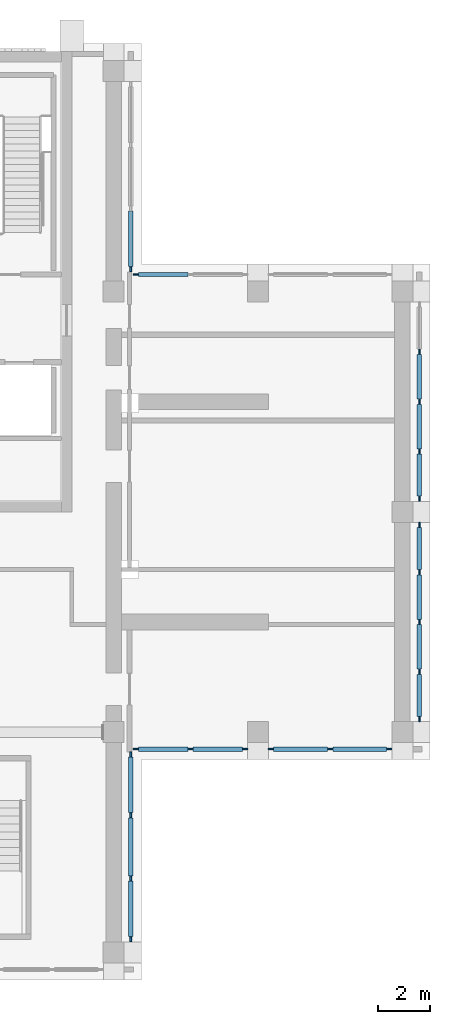
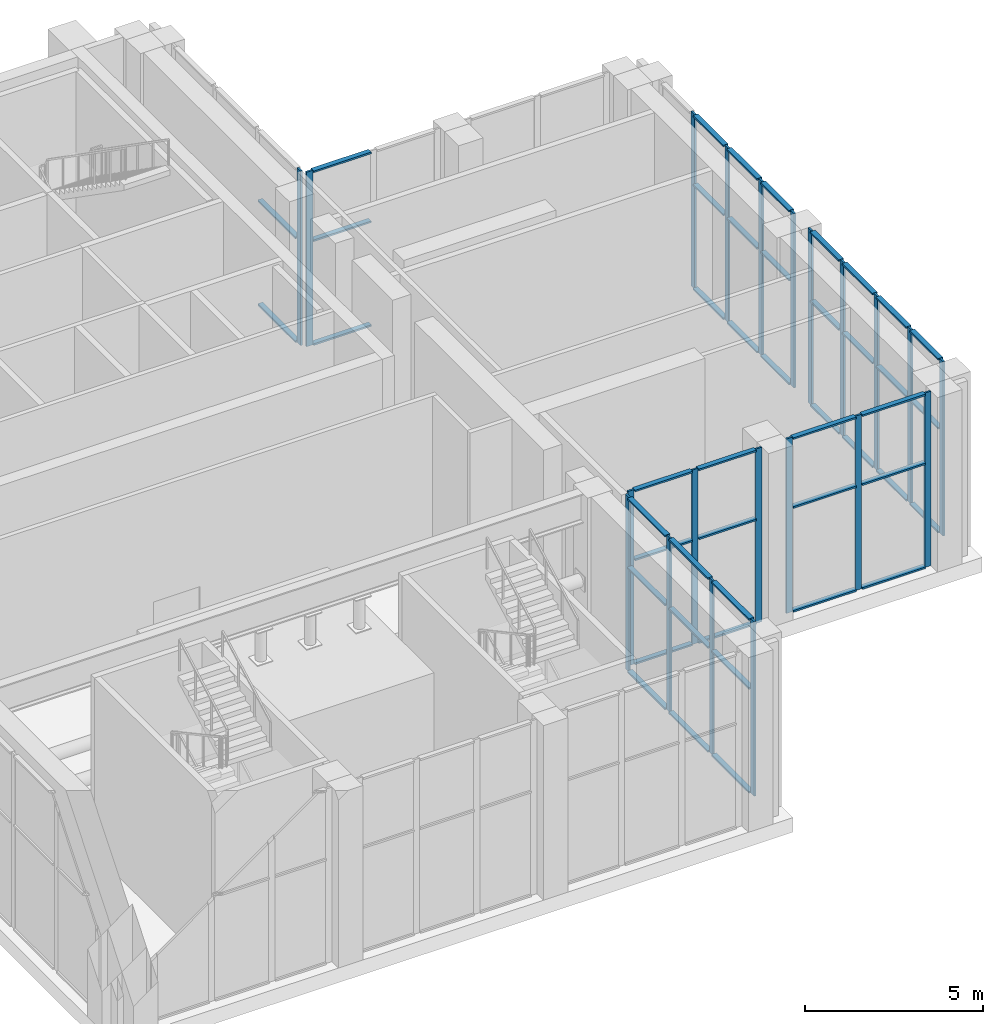
# One storey, part 5 of 14: 68 members, 7 elements without a shape of their own.
"""IFC4 building model written with IfcOpenShell, lengths in metres."""

from ifc_helpers import new_model, si_unit, direction, frame, origin, origin_2d, place, context, subcontext, project, spatial, rectangle, extrude, material, material_profile, profile_set, type_object, element, aggregate, save


model = new_model("IFC4")

# Units and contexts
model_context = context("Model", 3, precision=1e-05, world=origin(), true_north=direction((0.0, 1.0)))
body_context = subcontext(model_context, "Body", "Model", "MODEL_VIEW")
ifc_project = project(units=[si_unit("LENGTHUNIT", "METRE"), si_unit("AREAUNIT", "SQUARE_METRE"), si_unit("VOLUMEUNIT", "CUBIC_METRE"), si_unit("PLANEANGLEUNIT", "RADIAN"), si_unit("MASSUNIT", "GRAM", prefix="KILO")], contexts=[model_context])

# Site, building, storey
site_placement = place(None, origin())
site = spatial("IfcSite", under=ifc_project, at=site_placement, CompositionType="ELEMENT")
building_placement = place(site_placement, origin())
building = spatial("IfcBuilding", under=site, at=building_placement, Name="Vermilion Ogive Tower", CompositionType="ELEMENT")
storey_placement = place(building_placement, frame((0.0, 0.0, 278.35009765625)))
storey = spatial("IfcBuildingStorey", under=building, at=storey_placement, Name="L73", CompositionType="ELEMENT", Elevation=278.35009765625)

# Curtain wall, members
ifc_material_1 = material(Name="Laminated solar-control glazing in aluminium frame", Category="aluminium")
curtain_wall_type = type_object("IfcCurtainWallType", Name="Curtain wall CW4", PredefinedType="NOTDEFINED", material=ifc_material_1)
curtain_wall_1_placement = place(storey_placement, origin())
curtain_wall_1 = element("IfcCurtainWall", 1, at=curtain_wall_1_placement, inside=storey, type_object=curtain_wall_type, Name="CW4 glazing X11", PredefinedType="NOTDEFINED")
ifc_material_2 = material(Name="Aluminium mullion", Category="aluminium")
ifc_material_profile_1 = material_profile(ifc_material_2, rectangle(XDim=0.06005859375, YDim=0.199951171875, at=origin_2d()), Name="AL 60x200")
ifc_profile_set_1 = profile_set([ifc_material_profile_1], Name="Aluminium mullion")
member_type_1 = type_object("IfcMemberType", Name="CW4 mullion 60x200", PredefinedType="MULLION", material=ifc_profile_set_1)
member_1_placement = place(storey_placement, frame((10.64990234375, -12.10009765625, 0.0), z_axis=(0.0, 0.0, 1.0), x_axis=(-1.0, 0.0, 0.0)))
member_1 = element("IfcMember", 2, at=member_1_placement, type_object=member_type_1, Name="CW4-X11 mullion 1", PredefinedType="MULLION", context=body_context, shape_type="SweptSolid", body=[
    extrude(rectangle(XDim=0.06005859375, YDim=0.199951171875, at=origin_2d()), origin(), (0.0, 0.0, 1.0), 6.0),
])
member_2_placement = place(storey_placement, frame((10.64990234375, -9.783447265625, 0.0), z_axis=(0.0, 0.0, 1.0), x_axis=(-1.0, 0.0, 0.0)))
member_2 = element("IfcMember", 3, at=member_2_placement, type_object=member_type_1, Name="CW4-X11 mullion 2", PredefinedType="MULLION", context=body_context, shape_type="SweptSolid", body=[
    extrude(rectangle(XDim=0.06005859375, YDim=0.199951171875, at=origin_2d()), origin(), (0.0, 0.0, 1.0), 6.0),
])
member_3_placement = place(storey_placement, frame((10.64990234375, -7.36669921875, 0.0), z_axis=(0.0, 0.0, 1.0), x_axis=(-1.0, 0.0, 0.0)))
member_3 = element("IfcMember", 4, at=member_3_placement, type_object=member_type_1, Name="CW4-X11 mullion 3", PredefinedType="MULLION", context=body_context, shape_type="SweptSolid", body=[
    extrude(rectangle(XDim=0.06005859375, YDim=0.199951171875, at=origin_2d()), origin(), (0.0, 0.0, 1.0), 6.0),
])
member_4_placement = place(storey_placement, frame((10.64990234375, -5.050048828125, 0.0), z_axis=(0.0, 0.0, 1.0), x_axis=(-1.0, 0.0, 0.0)))
member_4 = element("IfcMember", 5, at=member_4_placement, type_object=member_type_1, Name="CW4-X11 mullion 4", PredefinedType="MULLION", context=body_context, shape_type="SweptSolid", body=[
    extrude(rectangle(XDim=0.06005859375, YDim=0.199951171875, at=origin_2d()), origin(), (0.0, 0.0, 1.0), 6.0),
])

curtain_wall_2_placement = place(storey_placement, origin())
curtain_wall_2 = element("IfcCurtainWall", 6, at=curtain_wall_2_placement, inside=storey, type_object=curtain_wall_type, Name="CW4 glazing X21", PredefinedType="NOTDEFINED")
member_5_placement = place(storey_placement, frame((10.85009765625, -4.85009765625, 0.0), z_axis=(0.0, 0.0, 1.0), x_axis=(0.0, 1.0, 0.0)))
member_5 = element("IfcMember", 7, at=member_5_placement, type_object=member_type_1, Name="CW4-X21 mullion 1", PredefinedType="MULLION", context=body_context, shape_type="SweptSolid", body=[
    extrude(rectangle(XDim=0.06005859375, YDim=0.199951171875, at=origin_2d()), origin(), (0.0, 0.0, 1.0), 6.0),
])
member_6_placement = place(storey_placement, frame((12.925048828125, -4.85009765625, 0.0), z_axis=(0.0, 0.0, 1.0), x_axis=(0.0, 1.0, 0.0)))
member_6 = element("IfcMember", 8, at=member_6_placement, type_object=member_type_1, Name="CW4-X21 mullion 2", PredefinedType="MULLION", context=body_context, shape_type="SweptSolid", body=[
    extrude(rectangle(XDim=0.06005859375, YDim=0.199951171875, at=origin_2d()), origin(), (0.0, 0.0, 1.0), 6.0),
])
member_7_placement = place(storey_placement, frame((15.0, -4.85009765625, 0.0), z_axis=(0.0, 0.0, 1.0), x_axis=(0.0, 1.0, 0.0)))
member_7 = element("IfcMember", 9, at=member_7_placement, type_object=member_type_1, Name="CW4-X21 mullion 3", PredefinedType="MULLION", context=body_context, shape_type="SweptSolid", body=[
    extrude(rectangle(XDim=0.06005859375, YDim=0.199951171875, at=origin_2d()), origin(), (0.0, 0.0, 1.0), 6.0),
])

curtain_wall_3_placement = place(storey_placement, origin())
curtain_wall_3 = element("IfcCurtainWall", 10, at=curtain_wall_3_placement, inside=storey, type_object=curtain_wall_type, Name="CW4 glazing X22", PredefinedType="NOTDEFINED")
member_8_placement = place(storey_placement, frame((16.0, -4.85009765625, 0.0), z_axis=(0.0, 0.0, 1.0), x_axis=(0.0, 1.0, 0.0)))
member_8 = element("IfcMember", 11, at=member_8_placement, type_object=member_type_1, Name="CW4-X22 mullion 1", PredefinedType="MULLION", context=body_context, shape_type="SweptSolid", body=[
    extrude(rectangle(XDim=0.06005859375, YDim=0.199951171875, at=origin_2d()), origin(), (0.0, 0.0, 1.0), 6.0),
])
member_9_placement = place(storey_placement, frame((18.25, -4.85009765625, 0.0), z_axis=(0.0, 0.0, 1.0), x_axis=(0.0, 1.0, 0.0)))
member_9 = element("IfcMember", 12, at=member_9_placement, type_object=member_type_1, Name="CW4-X22 mullion 2", PredefinedType="MULLION", context=body_context, shape_type="SweptSolid", body=[
    extrude(rectangle(XDim=0.06005859375, YDim=0.199951171875, at=origin_2d()), origin(), (0.0, 0.0, 1.0), 6.0),
])
member_10_placement = place(storey_placement, frame((20.5, -4.85009765625, 0.0), z_axis=(0.0, 0.0, 1.0), x_axis=(0.0, 1.0, 0.0)))
member_10 = element("IfcMember", 13, at=member_10_placement, type_object=member_type_1, Name="CW4-X22 mullion 3", PredefinedType="MULLION", context=body_context, shape_type="SweptSolid", body=[
    extrude(rectangle(XDim=0.06005859375, YDim=0.199951171875, at=origin_2d()), origin(), (0.0, 0.0, 1.0), 6.0),
])

curtain_wall_4_placement = place(storey_placement, origin())
curtain_wall_4 = element("IfcCurtainWall", 14, at=curtain_wall_4_placement, inside=storey, type_object=curtain_wall_type, Name="CW4 glazing E1", PredefinedType="NOTDEFINED")
member_11_placement = place(storey_placement, frame((21.64990234375, -3.699951171875, 0.0), z_axis=(0.0, 0.0, 1.0), x_axis=(-1.0, 0.0, 0.0)))
member_11 = element("IfcMember", 15, at=member_11_placement, type_object=member_type_1, Name="CW4-E1 mullion 1", PredefinedType="MULLION", context=body_context, shape_type="SweptSolid", body=[
    extrude(rectangle(XDim=0.06005859375, YDim=0.199951171875, at=origin_2d()), origin(), (0.0, 0.0, 1.0), 6.0),
])
member_12_placement = place(storey_placement, frame((21.64990234375, -1.89990234375, 0.0), z_axis=(0.0, 0.0, 1.0), x_axis=(-1.0, 0.0, 0.0)))
member_12 = element("IfcMember", 16, at=member_12_placement, type_object=member_type_1, Name="CW4-E1 mullion 2", PredefinedType="MULLION", context=body_context, shape_type="SweptSolid", body=[
    extrude(rectangle(XDim=0.06005859375, YDim=0.199951171875, at=origin_2d()), origin(), (0.0, 0.0, 1.0), 6.0),
])
member_13_placement = place(storey_placement, frame((21.64990234375, 0.0, 0.0), z_axis=(0.0, 0.0, 1.0), x_axis=(-1.0, 0.0, 0.0)))
member_13 = element("IfcMember", 17, at=member_13_placement, type_object=member_type_1, Name="CW4-E1 mullion 3", PredefinedType="MULLION", context=body_context, shape_type="SweptSolid", body=[
    extrude(rectangle(XDim=0.06005859375, YDim=0.199951171875, at=origin_2d()), origin(), (0.0, 0.0, 1.0), 6.0),
])
member_14_placement = place(storey_placement, frame((21.64990234375, 1.89990234375, 0.0), z_axis=(0.0, 0.0, 1.0), x_axis=(-1.0, 0.0, 0.0)))
member_14 = element("IfcMember", 18, at=member_14_placement, type_object=member_type_1, Name="CW4-E1 mullion 4", PredefinedType="MULLION", context=body_context, shape_type="SweptSolid", body=[
    extrude(rectangle(XDim=0.06005859375, YDim=0.199951171875, at=origin_2d()), origin(), (0.0, 0.0, 1.0), 6.0),
])
member_15_placement = place(storey_placement, frame((21.64990234375, 3.699951171875, 0.0), z_axis=(0.0, 0.0, 1.0), x_axis=(-1.0, 0.0, 0.0)))
member_15 = element("IfcMember", 19, at=member_15_placement, type_object=member_type_1, Name="CW4-E1 mullion 5", PredefinedType="MULLION", context=body_context, shape_type="SweptSolid", body=[
    extrude(rectangle(XDim=0.06005859375, YDim=0.199951171875, at=origin_2d()), origin(), (0.0, 0.0, 1.0), 6.0),
])

curtain_wall_5_placement = place(storey_placement, origin())
curtain_wall_5 = element("IfcCurtainWall", 20, at=curtain_wall_5_placement, inside=storey, type_object=curtain_wall_type, Name="CW4 glazing E2", PredefinedType="NOTDEFINED")
member_16_placement = place(storey_placement, frame((21.64990234375, 4.699951171875, 0.0), z_axis=(0.0, 0.0, 1.0), x_axis=(-1.0, 0.0, 0.0)))
member_16 = element("IfcMember", 21, at=member_16_placement, type_object=member_type_1, Name="CW4-E2 mullion 1", PredefinedType="MULLION", context=body_context, shape_type="SweptSolid", body=[
    extrude(rectangle(XDim=0.06005859375, YDim=0.199951171875, at=origin_2d()), origin(), (0.0, 0.0, 1.0), 6.0),
])
member_17_placement = place(storey_placement, frame((21.64990234375, 6.5, 0.0), z_axis=(0.0, 0.0, 1.0), x_axis=(-1.0, 0.0, 0.0)))
member_17 = element("IfcMember", 22, at=member_17_placement, type_object=member_type_1, Name="CW4-E2 mullion 2", PredefinedType="MULLION", context=body_context, shape_type="SweptSolid", body=[
    extrude(rectangle(XDim=0.06005859375, YDim=0.199951171875, at=origin_2d()), origin(), (0.0, 0.0, 1.0), 6.0),
])
member_18_placement = place(storey_placement, frame((21.64990234375, 8.39990234375, 0.0), z_axis=(0.0, 0.0, 1.0), x_axis=(-1.0, 0.0, 0.0)))
member_18 = element("IfcMember", 23, at=member_18_placement, type_object=member_type_1, Name="CW4-E2 mullion 3", PredefinedType="MULLION", context=body_context, shape_type="SweptSolid", body=[
    extrude(rectangle(XDim=0.06005859375, YDim=0.199951171875, at=origin_2d()), origin(), (0.0, 0.0, 1.0), 6.0),
])
member_19_placement = place(storey_placement, frame((21.64990234375, 10.300048828125, 0.0), z_axis=(0.0, 0.0, 1.0), x_axis=(-1.0, 0.0, 0.0)))
member_19 = element("IfcMember", 24, at=member_19_placement, type_object=member_type_1, Name="CW4-E2 mullion 4", PredefinedType="MULLION", context=body_context, shape_type="SweptSolid", body=[
    extrude(rectangle(XDim=0.06005859375, YDim=0.199951171875, at=origin_2d()), origin(), (0.0, 0.0, 1.0), 6.0),
])

# Curtain wall, member
curtain_wall_6_placement = place(storey_placement, origin())
curtain_wall_6 = element("IfcCurtainWall", 25, at=curtain_wall_6_placement, inside=storey, type_object=curtain_wall_type, Name="CW4 glazing X32", PredefinedType="NOTDEFINED")
member_20_placement = place(storey_placement, frame((10.85009765625, 13.25, 0.0), z_axis=(0.0, 0.0, 1.0), x_axis=(0.0, -1.0, 0.0)))
member_20 = element("IfcMember", 26, at=member_20_placement, type_object=member_type_1, Name="CW4-X32 mullion 3", PredefinedType="MULLION", context=body_context, shape_type="SweptSolid", body=[
    extrude(rectangle(XDim=0.06005859375, YDim=0.199951171875, at=origin_2d()), origin(), (0.0, 0.0, 1.0), 6.0),
])

curtain_wall_7_placement = place(storey_placement, origin())
curtain_wall_7 = element("IfcCurtainWall", 27, at=curtain_wall_7_placement, inside=storey, type_object=curtain_wall_type, Name="CW4 glazing X41", PredefinedType="NOTDEFINED")
member_21_placement = place(storey_placement, frame((10.64990234375, 13.449951171875, 0.0), z_axis=(0.0, 0.0, 1.0), x_axis=(-1.0, 0.0, 0.0)))
member_21 = element("IfcMember", 28, at=member_21_placement, type_object=member_type_1, Name="CW4-X41 mullion 1", PredefinedType="MULLION", context=body_context, shape_type="SweptSolid", body=[
    extrude(rectangle(XDim=0.06005859375, YDim=0.199951171875, at=origin_2d()), origin(), (0.0, 0.0, 1.0), 6.0),
])

# Member
ifc_material_3 = material(Name="Aluminium transom", Category="aluminium")
ifc_material_profile_2 = material_profile(ifc_material_3, rectangle(XDim=0.159912109375, YDim=0.06005859375, at=origin_2d()), Name="AL 60x160")
ifc_profile_set_2 = profile_set([ifc_material_profile_2], Name="Aluminium transom")
member_type_2 = type_object("IfcMemberType", Name="CW4 transom 60x160", PredefinedType="USERDEFINED", material=ifc_profile_set_2)
member_22_placement = place(storey_placement, frame((10.64990234375, -12.0, 0.02978515625), z_axis=(0.0, 1.0, 0.0), x_axis=(-1.0, 0.0, 0.0)))
member_22 = element("IfcMember", 29, at=member_22_placement, type_object=member_type_2, Name="CW4-X11 transom 1.1", ObjectType="TRANSOM", PredefinedType="USERDEFINED", context=body_context, shape_type="SweptSolid", body=[
    extrude(rectangle(XDim=0.159912109375, YDim=0.06005859375, at=origin_2d()), origin(), (0.0, 0.0, 1.0), 2.11669921875),
])

member_23_placement = place(storey_placement, frame((10.64990234375, -12.0, 3.599853515625), z_axis=(0.0, 1.0, 0.0), x_axis=(-1.0, 0.0, 0.0)))
member_23 = element("IfcMember", 30, at=member_23_placement, type_object=member_type_2, Name="CW4-X11 transom 1.2", ObjectType="TRANSOM", PredefinedType="USERDEFINED", context=body_context, shape_type="SweptSolid", body=[
    extrude(rectangle(XDim=0.159912109375, YDim=0.06005859375, at=origin_2d()), origin(), (0.0, 0.0, 1.0), 2.11669921875),
])

member_24_placement = place(storey_placement, frame((10.64990234375, -12.0, 5.969970703125), z_axis=(0.0, 1.0, 0.0), x_axis=(-1.0, 0.0, 0.0)))
member_24 = element("IfcMember", 31, at=member_24_placement, type_object=member_type_2, Name="CW4-X11 transom 1.3", ObjectType="TRANSOM", PredefinedType="USERDEFINED", context=body_context, shape_type="SweptSolid", body=[
    extrude(rectangle(XDim=0.159912109375, YDim=0.06005859375, at=origin_2d()), origin(), (0.0, 0.0, 1.0), 2.11669921875),
])

member_25_placement = place(storey_placement, frame((10.64990234375, -9.683349609375, 0.02978515625), z_axis=(0.0, 1.0, 0.0), x_axis=(-1.0, 0.0, 0.0)))
member_25 = element("IfcMember", 32, at=member_25_placement, type_object=member_type_2, Name="CW4-X11 transom 2.1", ObjectType="TRANSOM", PredefinedType="USERDEFINED", context=body_context, shape_type="SweptSolid", body=[
    extrude(rectangle(XDim=0.159912109375, YDim=0.06005859375, at=origin_2d()), origin(), (0.0, 0.0, 1.0), 2.216796875),
])

member_26_placement = place(storey_placement, frame((10.64990234375, -9.683349609375, 3.599853515625), z_axis=(0.0, 1.0, 0.0), x_axis=(-1.0, 0.0, 0.0)))
member_26 = element("IfcMember", 33, at=member_26_placement, type_object=member_type_2, Name="CW4-X11 transom 2.2", ObjectType="TRANSOM", PredefinedType="USERDEFINED", context=body_context, shape_type="SweptSolid", body=[
    extrude(rectangle(XDim=0.159912109375, YDim=0.06005859375, at=origin_2d()), origin(), (0.0, 0.0, 1.0), 2.216796875),
])

member_27_placement = place(storey_placement, frame((10.64990234375, -9.683349609375, 5.969970703125), z_axis=(0.0, 1.0, 0.0), x_axis=(-1.0, 0.0, 0.0)))
member_27 = element("IfcMember", 34, at=member_27_placement, type_object=member_type_2, Name="CW4-X11 transom 2.3", ObjectType="TRANSOM", PredefinedType="USERDEFINED", context=body_context, shape_type="SweptSolid", body=[
    extrude(rectangle(XDim=0.159912109375, YDim=0.06005859375, at=origin_2d()), origin(), (0.0, 0.0, 1.0), 2.216796875),
])

member_28_placement = place(storey_placement, frame((10.64990234375, -7.2666015625, 0.02978515625), z_axis=(0.0, 1.0, 0.0), x_axis=(-1.0, 0.0, 0.0)))
member_28 = element("IfcMember", 35, at=member_28_placement, type_object=member_type_2, Name="CW4-X11 transom 3.1", ObjectType="TRANSOM", PredefinedType="USERDEFINED", context=body_context, shape_type="SweptSolid", body=[
    extrude(rectangle(XDim=0.159912109375, YDim=0.06005859375, at=origin_2d()), origin(), (0.0, 0.0, 1.0), 2.11669921875),
])

member_29_placement = place(storey_placement, frame((10.64990234375, -7.2666015625, 3.599853515625), z_axis=(0.0, 1.0, 0.0), x_axis=(-1.0, 0.0, 0.0)))
member_29 = element("IfcMember", 36, at=member_29_placement, type_object=member_type_2, Name="CW4-X11 transom 3.2", ObjectType="TRANSOM", PredefinedType="USERDEFINED", context=body_context, shape_type="SweptSolid", body=[
    extrude(rectangle(XDim=0.159912109375, YDim=0.06005859375, at=origin_2d()), origin(), (0.0, 0.0, 1.0), 2.11669921875),
])

member_30_placement = place(storey_placement, frame((10.64990234375, -7.2666015625, 5.969970703125), z_axis=(0.0, 1.0, 0.0), x_axis=(-1.0, 0.0, 0.0)))
member_30 = element("IfcMember", 37, at=member_30_placement, type_object=member_type_2, Name="CW4-X11 transom 3.3", ObjectType="TRANSOM", PredefinedType="USERDEFINED", context=body_context, shape_type="SweptSolid", body=[
    extrude(rectangle(XDim=0.159912109375, YDim=0.06005859375, at=origin_2d()), origin(), (0.0, 0.0, 1.0), 2.11669921875),
])

aggregate(curtain_wall_1, [member_1, member_2, member_3, member_4, member_22, member_23, member_24, member_25, member_26, member_27, member_28, member_29, member_30])

member_31_placement = place(storey_placement, frame((10.949951171875, -4.85009765625, 0.02978515625), z_axis=(1.0, 0.0, 0.0), x_axis=(0.0, 1.0, 0.0)))
member_31 = element("IfcMember", 38, at=member_31_placement, type_object=member_type_2, Name="CW4-X21 transom 1.1", ObjectType="TRANSOM", PredefinedType="USERDEFINED", context=body_context, shape_type="SweptSolid", body=[
    extrude(rectangle(XDim=0.159912109375, YDim=0.06005859375, at=origin_2d()), origin(), (0.0, 0.0, 1.0), 1.875),
])

member_32_placement = place(storey_placement, frame((10.949951171875, -4.85009765625, 3.599853515625), z_axis=(1.0, 0.0, 0.0), x_axis=(0.0, 1.0, 0.0)))
member_32 = element("IfcMember", 39, at=member_32_placement, type_object=member_type_2, Name="CW4-X21 transom 1.2", ObjectType="TRANSOM", PredefinedType="USERDEFINED", context=body_context, shape_type="SweptSolid", body=[
    extrude(rectangle(XDim=0.159912109375, YDim=0.06005859375, at=origin_2d()), origin(), (0.0, 0.0, 1.0), 1.875),
])

member_33_placement = place(storey_placement, frame((10.949951171875, -4.85009765625, 5.969970703125), z_axis=(1.0, 0.0, 0.0), x_axis=(0.0, 1.0, 0.0)))
member_33 = element("IfcMember", 40, at=member_33_placement, type_object=member_type_2, Name="CW4-X21 transom 1.3", ObjectType="TRANSOM", PredefinedType="USERDEFINED", context=body_context, shape_type="SweptSolid", body=[
    extrude(rectangle(XDim=0.159912109375, YDim=0.06005859375, at=origin_2d()), origin(), (0.0, 0.0, 1.0), 1.875),
])

member_34_placement = place(storey_placement, frame((13.02490234375, -4.85009765625, 0.02978515625), z_axis=(1.0, 0.0, 0.0), x_axis=(0.0, 1.0, 0.0)))
member_34 = element("IfcMember", 41, at=member_34_placement, type_object=member_type_2, Name="CW4-X21 transom 2.1", ObjectType="TRANSOM", PredefinedType="USERDEFINED", context=body_context, shape_type="SweptSolid", body=[
    extrude(rectangle(XDim=0.159912109375, YDim=0.06005859375, at=origin_2d()), origin(), (0.0, 0.0, 1.0), 1.875),
])

member_35_placement = place(storey_placement, frame((13.02490234375, -4.85009765625, 3.599853515625), z_axis=(1.0, 0.0, 0.0), x_axis=(0.0, 1.0, 0.0)))
member_35 = element("IfcMember", 42, at=member_35_placement, type_object=member_type_2, Name="CW4-X21 transom 2.2", ObjectType="TRANSOM", PredefinedType="USERDEFINED", context=body_context, shape_type="SweptSolid", body=[
    extrude(rectangle(XDim=0.159912109375, YDim=0.06005859375, at=origin_2d()), origin(), (0.0, 0.0, 1.0), 1.875),
])

member_36_placement = place(storey_placement, frame((13.02490234375, -4.85009765625, 5.969970703125), z_axis=(1.0, 0.0, 0.0), x_axis=(0.0, 1.0, 0.0)))
member_36 = element("IfcMember", 43, at=member_36_placement, type_object=member_type_2, Name="CW4-X21 transom 2.3", ObjectType="TRANSOM", PredefinedType="USERDEFINED", context=body_context, shape_type="SweptSolid", body=[
    extrude(rectangle(XDim=0.159912109375, YDim=0.06005859375, at=origin_2d()), origin(), (0.0, 0.0, 1.0), 1.875),
])

aggregate(curtain_wall_2, [member_5, member_6, member_7, member_31, member_32, member_33, member_34, member_35, member_36])

member_37_placement = place(storey_placement, frame((16.10009765625, -4.85009765625, 0.02978515625), z_axis=(1.0, 0.0, 0.0), x_axis=(0.0, 1.0, 0.0)))
member_37 = element("IfcMember", 44, at=member_37_placement, type_object=member_type_2, Name="CW4-X22 transom 1.1", ObjectType="TRANSOM", PredefinedType="USERDEFINED", context=body_context, shape_type="SweptSolid", body=[
    extrude(rectangle(XDim=0.159912109375, YDim=0.06005859375, at=origin_2d()), origin(), (0.0, 0.0, 1.0), 2.0498046875),
])

member_38_placement = place(storey_placement, frame((16.10009765625, -4.85009765625, 3.599853515625), z_axis=(1.0, 0.0, 0.0), x_axis=(0.0, 1.0, 0.0)))
member_38 = element("IfcMember", 45, at=member_38_placement, type_object=member_type_2, Name="CW4-X22 transom 1.2", ObjectType="TRANSOM", PredefinedType="USERDEFINED", context=body_context, shape_type="SweptSolid", body=[
    extrude(rectangle(XDim=0.159912109375, YDim=0.06005859375, at=origin_2d()), origin(), (0.0, 0.0, 1.0), 2.0498046875),
])

member_39_placement = place(storey_placement, frame((16.10009765625, -4.85009765625, 5.969970703125), z_axis=(1.0, 0.0, 0.0), x_axis=(0.0, 1.0, 0.0)))
member_39 = element("IfcMember", 46, at=member_39_placement, type_object=member_type_2, Name="CW4-X22 transom 1.3", ObjectType="TRANSOM", PredefinedType="USERDEFINED", context=body_context, shape_type="SweptSolid", body=[
    extrude(rectangle(XDim=0.159912109375, YDim=0.06005859375, at=origin_2d()), origin(), (0.0, 0.0, 1.0), 2.0498046875),
])

member_40_placement = place(storey_placement, frame((18.35009765625, -4.85009765625, 0.02978515625), z_axis=(1.0, 0.0, 0.0), x_axis=(0.0, 1.0, 0.0)))
member_40 = element("IfcMember", 47, at=member_40_placement, type_object=member_type_2, Name="CW4-X22 transom 2.1", ObjectType="TRANSOM", PredefinedType="USERDEFINED", context=body_context, shape_type="SweptSolid", body=[
    extrude(rectangle(XDim=0.159912109375, YDim=0.06005859375, at=origin_2d()), origin(), (0.0, 0.0, 1.0), 2.0498046875),
])

member_41_placement = place(storey_placement, frame((18.35009765625, -4.85009765625, 3.599853515625), z_axis=(1.0, 0.0, 0.0), x_axis=(0.0, 1.0, 0.0)))
member_41 = element("IfcMember", 48, at=member_41_placement, type_object=member_type_2, Name="CW4-X22 transom 2.2", ObjectType="TRANSOM", PredefinedType="USERDEFINED", context=body_context, shape_type="SweptSolid", body=[
    extrude(rectangle(XDim=0.159912109375, YDim=0.06005859375, at=origin_2d()), origin(), (0.0, 0.0, 1.0), 2.0498046875),
])

member_42_placement = place(storey_placement, frame((18.35009765625, -4.85009765625, 5.969970703125), z_axis=(1.0, 0.0, 0.0), x_axis=(0.0, 1.0, 0.0)))
member_42 = element("IfcMember", 49, at=member_42_placement, type_object=member_type_2, Name="CW4-X22 transom 2.3", ObjectType="TRANSOM", PredefinedType="USERDEFINED", context=body_context, shape_type="SweptSolid", body=[
    extrude(rectangle(XDim=0.159912109375, YDim=0.06005859375, at=origin_2d()), origin(), (0.0, 0.0, 1.0), 2.0498046875),
])

aggregate(curtain_wall_3, [member_8, member_9, member_10, member_37, member_38, member_39, member_40, member_41, member_42])

member_43_placement = place(storey_placement, frame((21.64990234375, -3.60009765625, 0.02978515625), z_axis=(0.0, 1.0, 0.0), x_axis=(-1.0, 0.0, 0.0)))
member_43 = element("IfcMember", 50, at=member_43_placement, type_object=member_type_2, Name="CW4-E1 transom 1.1", ObjectType="TRANSOM", PredefinedType="USERDEFINED", context=body_context, shape_type="SweptSolid", body=[
    extrude(rectangle(XDim=0.159912109375, YDim=0.06005859375, at=origin_2d()), origin(), (0.0, 0.0, 1.0), 1.60009765625),
])

member_44_placement = place(storey_placement, frame((21.64990234375, -3.60009765625, 3.599853515625), z_axis=(0.0, 1.0, 0.0), x_axis=(-1.0, 0.0, 0.0)))
member_44 = element("IfcMember", 51, at=member_44_placement, type_object=member_type_2, Name="CW4-E1 transom 1.2", ObjectType="TRANSOM", PredefinedType="USERDEFINED", context=body_context, shape_type="SweptSolid", body=[
    extrude(rectangle(XDim=0.159912109375, YDim=0.06005859375, at=origin_2d()), origin(), (0.0, 0.0, 1.0), 1.60009765625),
])

member_45_placement = place(storey_placement, frame((21.64990234375, -3.60009765625, 5.969970703125), z_axis=(0.0, 1.0, 0.0), x_axis=(-1.0, 0.0, 0.0)))
member_45 = element("IfcMember", 52, at=member_45_placement, type_object=member_type_2, Name="CW4-E1 transom 1.3", ObjectType="TRANSOM", PredefinedType="USERDEFINED", context=body_context, shape_type="SweptSolid", body=[
    extrude(rectangle(XDim=0.159912109375, YDim=0.06005859375, at=origin_2d()), origin(), (0.0, 0.0, 1.0), 1.60009765625),
])

member_46_placement = place(storey_placement, frame((21.64990234375, -1.800048828125, 0.02978515625), z_axis=(0.0, 1.0, 0.0), x_axis=(-1.0, 0.0, 0.0)))
member_46 = element("IfcMember", 53, at=member_46_placement, type_object=member_type_2, Name="CW4-E1 transom 2.1", ObjectType="TRANSOM", PredefinedType="USERDEFINED", context=body_context, shape_type="SweptSolid", body=[
    extrude(rectangle(XDim=0.159912109375, YDim=0.06005859375, at=origin_2d()), origin(), (0.0, 0.0, 1.0), 1.699951171875),
])

member_47_placement = place(storey_placement, frame((21.64990234375, -1.800048828125, 3.599853515625), z_axis=(0.0, 1.0, 0.0), x_axis=(-1.0, 0.0, 0.0)))
member_47 = element("IfcMember", 54, at=member_47_placement, type_object=member_type_2, Name="CW4-E1 transom 2.2", ObjectType="TRANSOM", PredefinedType="USERDEFINED", context=body_context, shape_type="SweptSolid", body=[
    extrude(rectangle(XDim=0.159912109375, YDim=0.06005859375, at=origin_2d()), origin(), (0.0, 0.0, 1.0), 1.699951171875),
])

member_48_placement = place(storey_placement, frame((21.64990234375, -1.800048828125, 5.969970703125), z_axis=(0.0, 1.0, 0.0), x_axis=(-1.0, 0.0, 0.0)))
member_48 = element("IfcMember", 55, at=member_48_placement, type_object=member_type_2, Name="CW4-E1 transom 2.3", ObjectType="TRANSOM", PredefinedType="USERDEFINED", context=body_context, shape_type="SweptSolid", body=[
    extrude(rectangle(XDim=0.159912109375, YDim=0.06005859375, at=origin_2d()), origin(), (0.0, 0.0, 1.0), 1.699951171875),
])

member_49_placement = place(storey_placement, frame((21.64990234375, 0.10009765625, 0.02978515625), z_axis=(0.0, 1.0, 0.0), x_axis=(-1.0, 0.0, 0.0)))
member_49 = element("IfcMember", 56, at=member_49_placement, type_object=member_type_2, Name="CW4-E1 transom 3.1", ObjectType="TRANSOM", PredefinedType="USERDEFINED", context=body_context, shape_type="SweptSolid", body=[
    extrude(rectangle(XDim=0.159912109375, YDim=0.06005859375, at=origin_2d()), origin(), (0.0, 0.0, 1.0), 1.699951171875),
])

member_50_placement = place(storey_placement, frame((21.64990234375, 0.10009765625, 3.599853515625), z_axis=(0.0, 1.0, 0.0), x_axis=(-1.0, 0.0, 0.0)))
member_50 = element("IfcMember", 57, at=member_50_placement, type_object=member_type_2, Name="CW4-E1 transom 3.2", ObjectType="TRANSOM", PredefinedType="USERDEFINED", context=body_context, shape_type="SweptSolid", body=[
    extrude(rectangle(XDim=0.159912109375, YDim=0.06005859375, at=origin_2d()), origin(), (0.0, 0.0, 1.0), 1.699951171875),
])

member_51_placement = place(storey_placement, frame((21.64990234375, 0.10009765625, 5.969970703125), z_axis=(0.0, 1.0, 0.0), x_axis=(-1.0, 0.0, 0.0)))
member_51 = element("IfcMember", 58, at=member_51_placement, type_object=member_type_2, Name="CW4-E1 transom 3.3", ObjectType="TRANSOM", PredefinedType="USERDEFINED", context=body_context, shape_type="SweptSolid", body=[
    extrude(rectangle(XDim=0.159912109375, YDim=0.06005859375, at=origin_2d()), origin(), (0.0, 0.0, 1.0), 1.699951171875),
])

member_52_placement = place(storey_placement, frame((21.64990234375, 2.0, 0.02978515625), z_axis=(0.0, 1.0, 0.0), x_axis=(-1.0, 0.0, 0.0)))
member_52 = element("IfcMember", 59, at=member_52_placement, type_object=member_type_2, Name="CW4-E1 transom 4.1", ObjectType="TRANSOM", PredefinedType="USERDEFINED", context=body_context, shape_type="SweptSolid", body=[
    extrude(rectangle(XDim=0.159912109375, YDim=0.06005859375, at=origin_2d()), origin(), (0.0, 0.0, 1.0), 1.60009765625),
])

member_53_placement = place(storey_placement, frame((21.64990234375, 2.0, 3.599853515625), z_axis=(0.0, 1.0, 0.0), x_axis=(-1.0, 0.0, 0.0)))
member_53 = element("IfcMember", 60, at=member_53_placement, type_object=member_type_2, Name="CW4-E1 transom 4.2", ObjectType="TRANSOM", PredefinedType="USERDEFINED", context=body_context, shape_type="SweptSolid", body=[
    extrude(rectangle(XDim=0.159912109375, YDim=0.06005859375, at=origin_2d()), origin(), (0.0, 0.0, 1.0), 1.60009765625),
])

member_54_placement = place(storey_placement, frame((21.64990234375, 2.0, 5.969970703125), z_axis=(0.0, 1.0, 0.0), x_axis=(-1.0, 0.0, 0.0)))
member_54 = element("IfcMember", 61, at=member_54_placement, type_object=member_type_2, Name="CW4-E1 transom 4.3", ObjectType="TRANSOM", PredefinedType="USERDEFINED", context=body_context, shape_type="SweptSolid", body=[
    extrude(rectangle(XDim=0.159912109375, YDim=0.06005859375, at=origin_2d()), origin(), (0.0, 0.0, 1.0), 1.60009765625),
])

aggregate(curtain_wall_4, [member_11, member_12, member_13, member_14, member_15, member_43, member_44, member_45, member_46, member_47, member_48, member_49, member_50, member_51, member_52, member_53, member_54])

member_55_placement = place(storey_placement, frame((21.64990234375, 4.800048828125, 0.02978515625), z_axis=(0.0, 1.0, 0.0), x_axis=(-1.0, 0.0, 0.0)))
member_55 = element("IfcMember", 62, at=member_55_placement, type_object=member_type_2, Name="CW4-E2 transom 1.1", ObjectType="TRANSOM", PredefinedType="USERDEFINED", context=body_context, shape_type="SweptSolid", body=[
    extrude(rectangle(XDim=0.159912109375, YDim=0.06005859375, at=origin_2d()), origin(), (0.0, 0.0, 1.0), 1.599853515625),
])

member_56_placement = place(storey_placement, frame((21.64990234375, 4.800048828125, 3.599853515625), z_axis=(0.0, 1.0, 0.0), x_axis=(-1.0, 0.0, 0.0)))
member_56 = element("IfcMember", 63, at=member_56_placement, type_object=member_type_2, Name="CW4-E2 transom 1.2", ObjectType="TRANSOM", PredefinedType="USERDEFINED", context=body_context, shape_type="SweptSolid", body=[
    extrude(rectangle(XDim=0.159912109375, YDim=0.06005859375, at=origin_2d()), origin(), (0.0, 0.0, 1.0), 1.599853515625),
])

member_57_placement = place(storey_placement, frame((21.64990234375, 4.800048828125, 5.969970703125), z_axis=(0.0, 1.0, 0.0), x_axis=(-1.0, 0.0, 0.0)))
member_57 = element("IfcMember", 64, at=member_57_placement, type_object=member_type_2, Name="CW4-E2 transom 1.3", ObjectType="TRANSOM", PredefinedType="USERDEFINED", context=body_context, shape_type="SweptSolid", body=[
    extrude(rectangle(XDim=0.159912109375, YDim=0.06005859375, at=origin_2d()), origin(), (0.0, 0.0, 1.0), 1.599853515625),
])

member_58_placement = place(storey_placement, frame((21.64990234375, 6.60009765625, 0.02978515625), z_axis=(0.0, 1.0, 0.0), x_axis=(-1.0, 0.0, 0.0)))
member_58 = element("IfcMember", 65, at=member_58_placement, type_object=member_type_2, Name="CW4-E2 transom 2.1", ObjectType="TRANSOM", PredefinedType="USERDEFINED", context=body_context, shape_type="SweptSolid", body=[
    extrude(rectangle(XDim=0.159912109375, YDim=0.06005859375, at=origin_2d()), origin(), (0.0, 0.0, 1.0), 1.699951171875),
])

member_59_placement = place(storey_placement, frame((21.64990234375, 6.60009765625, 3.599853515625), z_axis=(0.0, 1.0, 0.0), x_axis=(-1.0, 0.0, 0.0)))
member_59 = element("IfcMember", 66, at=member_59_placement, type_object=member_type_2, Name="CW4-E2 transom 2.2", ObjectType="TRANSOM", PredefinedType="USERDEFINED", context=body_context, shape_type="SweptSolid", body=[
    extrude(rectangle(XDim=0.159912109375, YDim=0.06005859375, at=origin_2d()), origin(), (0.0, 0.0, 1.0), 1.699951171875),
])

member_60_placement = place(storey_placement, frame((21.64990234375, 6.60009765625, 5.969970703125), z_axis=(0.0, 1.0, 0.0), x_axis=(-1.0, 0.0, 0.0)))
member_60 = element("IfcMember", 67, at=member_60_placement, type_object=member_type_2, Name="CW4-E2 transom 2.3", ObjectType="TRANSOM", PredefinedType="USERDEFINED", context=body_context, shape_type="SweptSolid", body=[
    extrude(rectangle(XDim=0.159912109375, YDim=0.06005859375, at=origin_2d()), origin(), (0.0, 0.0, 1.0), 1.699951171875),
])

member_61_placement = place(storey_placement, frame((21.64990234375, 8.5, 0.02978515625), z_axis=(0.0, 1.0, 0.0), x_axis=(-1.0, 0.0, 0.0)))
member_61 = element("IfcMember", 68, at=member_61_placement, type_object=member_type_2, Name="CW4-E2 transom 3.1", ObjectType="TRANSOM", PredefinedType="USERDEFINED", context=body_context, shape_type="SweptSolid", body=[
    extrude(rectangle(XDim=0.159912109375, YDim=0.06005859375, at=origin_2d()), origin(), (0.0, 0.0, 1.0), 1.699951171875),
])

member_62_placement = place(storey_placement, frame((21.64990234375, 8.5, 3.599853515625), z_axis=(0.0, 1.0, 0.0), x_axis=(-1.0, 0.0, 0.0)))
member_62 = element("IfcMember", 69, at=member_62_placement, type_object=member_type_2, Name="CW4-E2 transom 3.2", ObjectType="TRANSOM", PredefinedType="USERDEFINED", context=body_context, shape_type="SweptSolid", body=[
    extrude(rectangle(XDim=0.159912109375, YDim=0.06005859375, at=origin_2d()), origin(), (0.0, 0.0, 1.0), 1.699951171875),
])

member_63_placement = place(storey_placement, frame((21.64990234375, 8.5, 5.969970703125), z_axis=(0.0, 1.0, 0.0), x_axis=(-1.0, 0.0, 0.0)))
member_63 = element("IfcMember", 70, at=member_63_placement, type_object=member_type_2, Name="CW4-E2 transom 3.3", ObjectType="TRANSOM", PredefinedType="USERDEFINED", context=body_context, shape_type="SweptSolid", body=[
    extrude(rectangle(XDim=0.159912109375, YDim=0.06005859375, at=origin_2d()), origin(), (0.0, 0.0, 1.0), 1.699951171875),
])

aggregate(curtain_wall_5, [member_16, member_17, member_18, member_19, member_55, member_56, member_57, member_58, member_59, member_60, member_61, member_62, member_63])

member_64_placement = place(storey_placement, frame((12.824951171875, 13.25, 0.02978515625), z_axis=(-1.0, 0.0, 0.0), x_axis=(0.0, -1.0, 0.0)))
member_64 = element("IfcMember", 71, at=member_64_placement, type_object=member_type_2, Name="CW4-X32 transom 2.1", ObjectType="TRANSOM", PredefinedType="USERDEFINED", context=body_context, shape_type="SweptSolid", body=[
    extrude(rectangle(XDim=0.159912109375, YDim=0.06005859375, at=origin_2d()), origin(), (0.0, 0.0, 1.0), 1.875),
])

member_65_placement = place(storey_placement, frame((12.824951171875, 13.25, 3.599853515625), z_axis=(-1.0, 0.0, 0.0), x_axis=(0.0, -1.0, 0.0)))
member_65 = element("IfcMember", 72, at=member_65_placement, type_object=member_type_2, Name="CW4-X32 transom 2.2", ObjectType="TRANSOM", PredefinedType="USERDEFINED", context=body_context, shape_type="SweptSolid", body=[
    extrude(rectangle(XDim=0.159912109375, YDim=0.06005859375, at=origin_2d()), origin(), (0.0, 0.0, 1.0), 1.875),
])

member_66_placement = place(storey_placement, frame((12.824951171875, 13.25, 5.969970703125), z_axis=(-1.0, 0.0, 0.0), x_axis=(0.0, -1.0, 0.0)))
member_66 = element("IfcMember", 73, at=member_66_placement, type_object=member_type_2, Name="CW4-X32 transom 2.3", ObjectType="TRANSOM", PredefinedType="USERDEFINED", context=body_context, shape_type="SweptSolid", body=[
    extrude(rectangle(XDim=0.159912109375, YDim=0.06005859375, at=origin_2d()), origin(), (0.0, 0.0, 1.0), 1.875),
])

aggregate(curtain_wall_6, [member_20, member_64, member_65, member_66])

member_67_placement = place(storey_placement, frame((10.64990234375, 13.550048828125, 0.02978515625), z_axis=(0.0, 1.0, 0.0), x_axis=(-1.0, 0.0, 0.0)))
member_67 = element("IfcMember", 74, at=member_67_placement, type_object=member_type_2, Name="CW4-X41 transom 1.1", ObjectType="TRANSOM", PredefinedType="USERDEFINED", context=body_context, shape_type="SweptSolid", body=[
    extrude(rectangle(XDim=0.159912109375, YDim=0.06005859375, at=origin_2d()), origin(), (0.0, 0.0, 1.0), 2.11669921875),
])

member_68_placement = place(storey_placement, frame((10.64990234375, 13.550048828125, 3.599853515625), z_axis=(0.0, 1.0, 0.0), x_axis=(-1.0, 0.0, 0.0)))
member_68 = element("IfcMember", 75, at=member_68_placement, type_object=member_type_2, Name="CW4-X41 transom 1.2", ObjectType="TRANSOM", PredefinedType="USERDEFINED", context=body_context, shape_type="SweptSolid", body=[
    extrude(rectangle(XDim=0.159912109375, YDim=0.06005859375, at=origin_2d()), origin(), (0.0, 0.0, 1.0), 2.11669921875),
])

aggregate(curtain_wall_7, [member_21, member_67, member_68])

save(model, "model.ifc")
